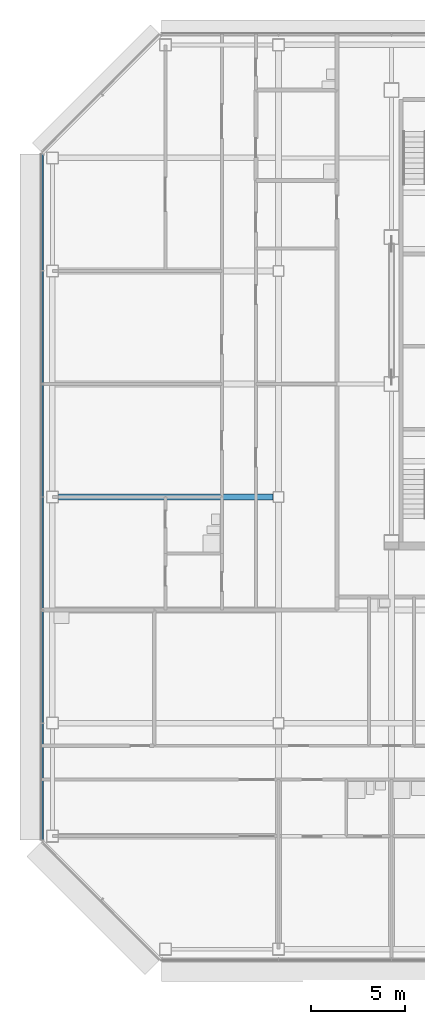
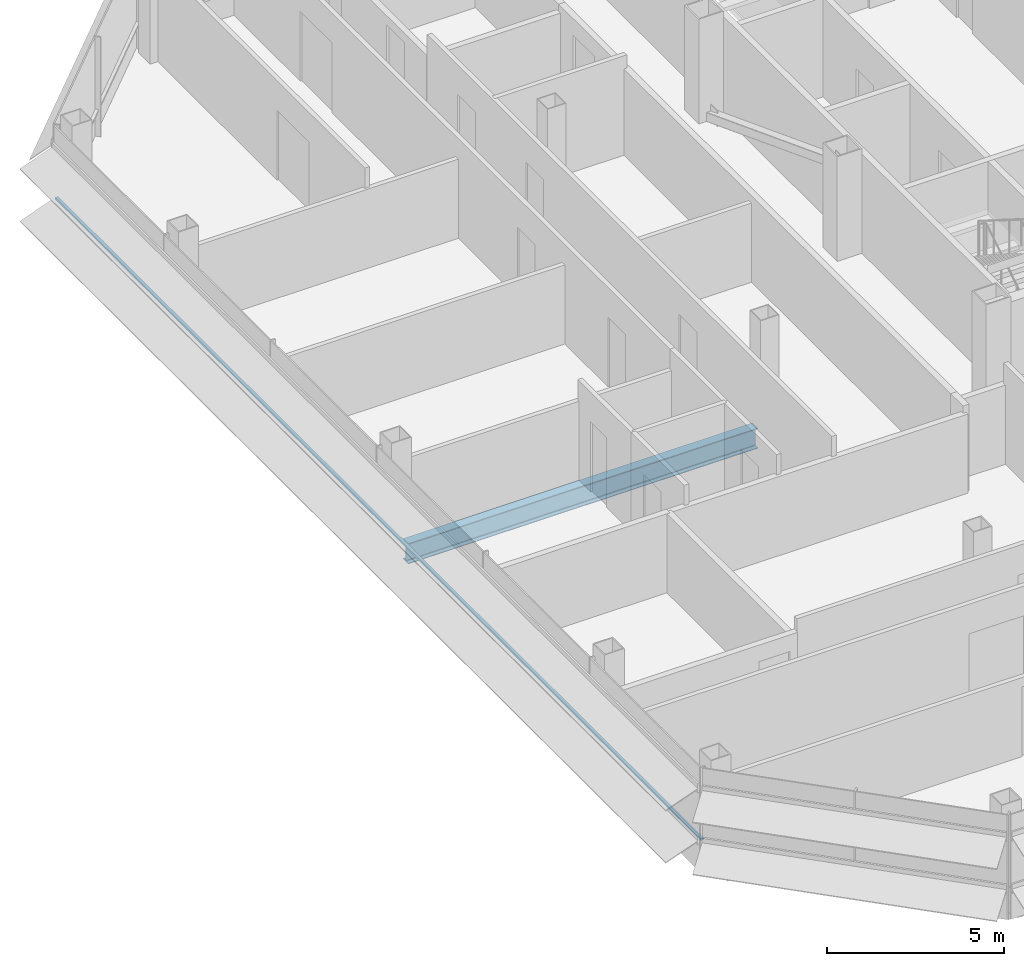
# One storey, part 5 of 27: 1 beam, 1 member, 1 element without a shape of its own.
"""IFC4 building model written with IfcOpenShell, lengths in metres."""

import ifcopenshell
import ifcopenshell.guid

model = None  # the IFC model being written
_history = None  # IfcOwnerHistory: only IFC2X3 demands one
_inside = {}  # id of a spatial element -> (the spatial element, [elements in it])
_under = {}  # id of a project, library or spatial element -> (it, [spatial elements below it])
_declared = {}  # id of a project -> (the project, [libraries it declares])
_typed = {}  # id of a type object -> (the type object, [elements of that type])
_made_of = {}  # id of a material, layer set ... -> (it, [elements and type objects made of it])


def new_model(schema):
    """Start an empty IFC model of exactly this schema.

    Asked for "IFC4X3", IfcOpenShell would pick the latest addendum, in which some entities
    have other attributes; the version numbers below select the first issue.
    IFC2X3 requires an IfcOwnerHistory on every rooted entity: one is made here for all.
    """
    global model, _history
    if schema == "IFC4X3":
        model = ifcopenshell.file(schema_version=(4, 3, 0, 0))
    else:
        model = ifcopenshell.file(schema=schema)
    _inside.clear()
    _under.clear()
    _declared.clear()
    _typed.clear()
    _made_of.clear()
    _history = None
    if model.schema == "IFC2X3":
        org = make("IfcOrganization", Name="unknown")
        user = make(
            "IfcPersonAndOrganization",
            ThePerson=make("IfcPerson", FamilyName="unknown"),
            TheOrganization=org,
        )
        app = make(
            "IfcApplication",
            ApplicationDeveloper=org,
            Version="unknown",
            ApplicationFullName="unknown",
            ApplicationIdentifier="unknown",
        )
        _history = make(
            "IfcOwnerHistory",
            OwningUser=user,
            OwningApplication=app,
            ChangeAction="ADDED",
            CreationDate=0,
        )
    return model


def make(cls, **values):
    """One entity of the class cls with the attributes given. An attribute that is None is left unset."""
    return model.create_entity(
        cls, **{name: value for name, value in values.items() if value is not None}
    )


def rooted(cls, **values):
    """An entity with a GlobalId (a new one), such as an element, a storey or a relation."""
    return make(cls, GlobalId=ifcopenshell.guid.new(), OwnerHistory=_history, **values)


def si_unit(unit_type, name, prefix=None):
    """IfcSIUnit, for example si_unit("LENGTHUNIT", "METRE", prefix="MILLI")."""
    return make("IfcSIUnit", UnitType=unit_type, Prefix=prefix, Name=name)


def assignment(units):
    """IfcUnitAssignment: the units of a project."""
    return None if units is None else make("IfcUnitAssignment", Units=units)


def point(xyz):
    """IfcCartesianPoint."""
    return None if xyz is None else make("IfcCartesianPoint", Coordinates=xyz)


def direction(xyz):
    """IfcDirection."""
    return None if xyz is None else make("IfcDirection", DirectionRatios=xyz)


def frame(location, z_axis=None, x_axis=None):
    """IfcAxis2Placement3D, a coordinate frame: its origin and axes. An axis left out is left unset."""
    return make(
        "IfcAxis2Placement3D",
        Location=point(location),
        Axis=direction(z_axis),
        RefDirection=direction(x_axis),
    )


def frame_2d(location, x_axis=None):
    """IfcAxis2Placement2D, a coordinate frame in the plane: its origin and x axis."""
    return make(
        "IfcAxis2Placement2D", Location=point(location), RefDirection=direction(x_axis)
    )


def origin():
    """The frame at (0, 0, 0) with its axes left unset."""
    return frame((0.0, 0.0, 0.0))


def origin_2d():
    """The frame at (0, 0) in the plane with its x axis left unset."""
    return frame_2d((0.0, 0.0))


def place(relative_to, where):
    """IfcLocalPlacement: puts the frame where relative to a parent placement (None: the world)."""
    return make(
        "IfcLocalPlacement", PlacementRelTo=relative_to, RelativePlacement=where
    )


def context(
    kind, dimensions, precision=None, world=None, true_north=None, identifier=None
):
    """IfcGeometricRepresentationContext, for example the 3D "Model" context."""
    return make(
        "IfcGeometricRepresentationContext",
        ContextIdentifier=identifier,
        ContextType=kind,
        CoordinateSpaceDimension=dimensions,
        Precision=precision,
        WorldCoordinateSystem=world,
        TrueNorth=true_north,
    )


def subcontext(parent, identifier, kind, view, scale=None):
    """IfcGeometricRepresentationSubContext, for example "Body" below "Model"."""
    return make(
        "IfcGeometricRepresentationSubContext",
        ContextIdentifier=identifier,
        ContextType=kind,
        ParentContext=parent,
        TargetScale=scale,
        TargetView=view,
    )


def project(units=None, contexts=None):
    """IfcProject with its units and contexts."""
    return rooted(
        "IfcProject",
        Name="project",
        RepresentationContexts=contexts,
        UnitsInContext=assignment(units),
    )


def spatial(cls, under=None, at=None, **own):
    """A site, building, storey or space (cls), placed at a placement, below another one or the project."""
    s = rooted(cls, ObjectPlacement=at, **own)
    if under is not None:
        _under.setdefault(under.id(), (under, []))[1].append(s)
    return s


def profile(cls, at=None, kind="AREA", **sizes):
    """A parametric profile (cls). Its sizes go by their IFC names, for example OverallWidth=200.0."""
    return make(cls, ProfileType=kind, Position=at, **sizes)


def rectangle(**sizes):
    """IfcRectangleProfileDef."""
    return profile("IfcRectangleProfileDef", **sizes)


def i_section(**sizes):
    """IfcIShapeProfileDef."""
    return profile("IfcIShapeProfileDef", **sizes)


def extrude(swept, where, along, depth):
    """IfcExtrudedAreaSolid: the profile swept, set in the frame where, extruded along a direction by depth."""
    return make(
        "IfcExtrudedAreaSolid",
        SweptArea=swept,
        Position=where,
        ExtrudedDirection=direction(along),
        Depth=depth,
    )


def shape(context_of_items, identifier, shape_type, items):
    """IfcShapeRepresentation: the items that make up one representation, for example the "Body"."""
    return make(
        "IfcShapeRepresentation",
        ContextOfItems=context_of_items,
        RepresentationIdentifier=identifier,
        RepresentationType=shape_type,
        Items=items,
    )


def material(Name=None, Category=None):
    """IfcMaterial."""
    return make("IfcMaterial", Name=Name, Category=Category)


def material_profile(
    of_material, cross_section, Name=None, Category=None, Priority=None
):
    """IfcMaterialProfile: a cross section and its material."""
    return make(
        "IfcMaterialProfile",
        Name=Name,
        Material=of_material,
        Profile=cross_section,
        Priority=Priority,
        Category=Category,
    )


def profile_set(profiles, Name=None, composite=None):
    """IfcMaterialProfileSet."""
    return make(
        "IfcMaterialProfileSet",
        Name=Name,
        MaterialProfiles=profiles,
        CompositeProfile=composite,
    )


def made_of(thing, what):
    """Note that an element or type object is made of a material, layer set ...; save() writes the relation."""
    if what is not None:
        _made_of.setdefault(what.id(), (what, []))[1].append(thing)
    return thing


def type_object(cls, material=None, **own):
    """A type object (cls), such as IfcWallType, which elements share."""
    return made_of(rooted(cls, **own), material)


def element(
    cls,
    number,
    at=None,
    inside=None,
    cuts=None,
    type_object=None,
    material=None,
    context=None,
    identifier="Body",
    shape_type=None,
    held_by="IfcProductDefinitionShape",
    body=None,
    shapes=None,
    **own,
):
    """One element of the class cls, such as IfcWall. Its Tag is "e" and its number.

    at: its placement. inside: the storey or other place that contains it. cuts: it is an
    opening in that element (IfcRelVoidsElement). A single representation is given by context,
    identifier, shape_type and body (its items); several are given by shapes. held_by: the class
    of the entity that holds the representations. save() writes the other relations.
    """
    e = rooted(cls, Tag="e%d" % number, ObjectPlacement=at, **own)
    if body is not None:
        shapes = [shape(context, identifier, shape_type, body)]
    if shapes is not None:
        e.Representation = make(held_by, Representations=shapes)
    if inside is not None:
        _inside.setdefault(inside.id(), (inside, []))[1].append(e)
    if cuts is not None:
        rooted(
            "IfcRelVoidsElement", RelatingBuildingElement=cuts, RelatedOpeningElement=e
        )
    if type_object is not None:
        _typed.setdefault(type_object.id(), (type_object, []))[1].append(e)
    return made_of(e, material)


def aggregate(whole, parts):
    """IfcRelAggregates: a whole, such as a stair, and the parts it consists of."""
    return rooted("IfcRelAggregates", RelatingObject=whole, RelatedObjects=parts)


def save(model, path):
    """Write the relations noted so far, then the file.

    IfcRelAggregates (storeys below a building ...), IfcRelContainedInSpatialStructure (elements
    in a storey), IfcRelDefinesByType, IfcRelAssociatesMaterial and IfcRelDeclares: one each for
    every whole, place, type object, material and project.
    """
    for whole, parts in _under.values():
        aggregate(whole, parts)
    for where, things in _inside.values():
        rooted(
            "IfcRelContainedInSpatialStructure",
            RelatedElements=things,
            RelatingStructure=where,
        )
    for kind, things in _typed.values():
        rooted("IfcRelDefinesByType", RelatedObjects=things, RelatingType=kind)
    for what, things in _made_of.values():
        rooted("IfcRelAssociatesMaterial", RelatedObjects=things, RelatingMaterial=what)
    for by, libraries in _declared.values():
        rooted("IfcRelDeclares", RelatingContext=by, RelatedDefinitions=libraries)
    model.write(path)


model = new_model("IFC4")

# Units and contexts
model_context = context("Model", 3, precision=1e-05, world=origin(), true_north=direction((0.0, 1.0)))
body_context = subcontext(model_context, "Body", "Model", "MODEL_VIEW")
ifc_project = project(units=[si_unit("LENGTHUNIT", "METRE"), si_unit("AREAUNIT", "SQUARE_METRE"), si_unit("VOLUMEUNIT", "CUBIC_METRE"), si_unit("PLANEANGLEUNIT", "RADIAN"), si_unit("MASSUNIT", "GRAM", prefix="KILO")], contexts=[model_context])

# Site, building, storey
site_placement = place(None, origin())
site = spatial("IfcSite", under=ifc_project, at=site_placement, CompositionType="ELEMENT")
building_placement = place(site_placement, origin())
building = spatial("IfcBuilding", under=site, at=building_placement, Name="Sorahane Residences", CompositionType="ELEMENT")
storey_placement = place(building_placement, frame((0.0, 0.0, 226.199951171875)))
storey = spatial("IfcBuildingStorey", under=building, at=storey_placement, Name="L53", CompositionType="ELEMENT", Elevation=226.199951171875)

# Curtain wall, member
ifc_material_1 = material(Name="Dark low-e glass and black anodised aluminium", Category="aluminium")
curtain_wall_type = type_object("IfcCurtainWallType", Name="Curtain wall CW-1 Typical unitised wall", PredefinedType="NOTDEFINED", material=ifc_material_1)
curtain_wall_placement = place(storey_placement, origin())
curtain_wall = element("IfcCurtainWall", 1, at=curtain_wall_placement, inside=storey, type_object=curtain_wall_type, Name="CW-1 curtain wall L53 W1", PredefinedType="NOTDEFINED")
ifc_material_2 = material(Name="Black anodised aluminium", Category="aluminium")
ifc_material_profile_1 = material_profile(ifc_material_2, rectangle(XDim=0.10009765625, YDim=0.06005859375, at=origin_2d()), Name="Curtain wall transom CW-1 black anodised aluminium 60x100")
ifc_profile_set_1 = profile_set([ifc_material_profile_1], Name="Black anodised aluminium")
member_type = type_object("IfcMemberType", Name="Curtain wall transom CW-1 black anodised aluminium 60x100", PredefinedType="USERDEFINED", material=ifc_profile_set_1)
member_placement = place(storey_placement, frame((-12.530029296875, 42.198486328125, 0.900146484375), z_axis=(0.0, -1.0, 0.0), x_axis=(1.0, 0.0, 0.0)))
member = element("IfcMember", 2, at=member_placement, type_object=member_type, Name="CW-1 transom L53 W1", ObjectType="TRANSOM", PredefinedType="USERDEFINED", context=body_context, shape_type="SweptSolid", body=[
    extrude(rectangle(XDim=0.10009765625, YDim=0.06005859375, at=origin_2d()), origin(), (0.0, 0.0, 1.0), 36.39697265625),
])
aggregate(curtain_wall, [member])

# Beam
ifc_material_3 = material(Name="Steel Q355B", Category="steel")
ifc_material_profile_2 = material_profile(ifc_material_3, i_section(OverallWidth=0.300048828125, OverallDepth=0.699951171875, WebThickness=0.012939453125, FlangeThickness=0.02392578125, FilletRadius=0.028076171875, at=origin_2d()), Name="HN 700x300x13x24")
ifc_profile_set_2 = profile_set([ifc_material_profile_2], Name="Steel Q355B")
beam_type = type_object("IfcBeamType", Name="Steel floor beam HN 700x300x13x24 Q355B", PredefinedType="BEAM", material=ifc_profile_set_2)
beam_placement = place(storey_placement, frame((-11.675048828125, 24.0, -0.530029296875), z_axis=(1.0, 0.0, 0.0), x_axis=(0.0, 1.0, 0.0)))
element("IfcBeam", 3, at=beam_placement, inside=storey, type_object=beam_type, Name="Beam L53 011", PredefinedType="BEAM", context=body_context, shape_type="SweptSolid", body=[
    extrude(i_section(OverallWidth=0.300048828125, OverallDepth=0.699951171875, WebThickness=0.012939453125, FlangeThickness=0.02392578125, FilletRadius=0.028076171875, at=origin_2d()), origin(), (0.0, 0.0, 1.0), 11.375),
])

save(model, "model.ifc")
